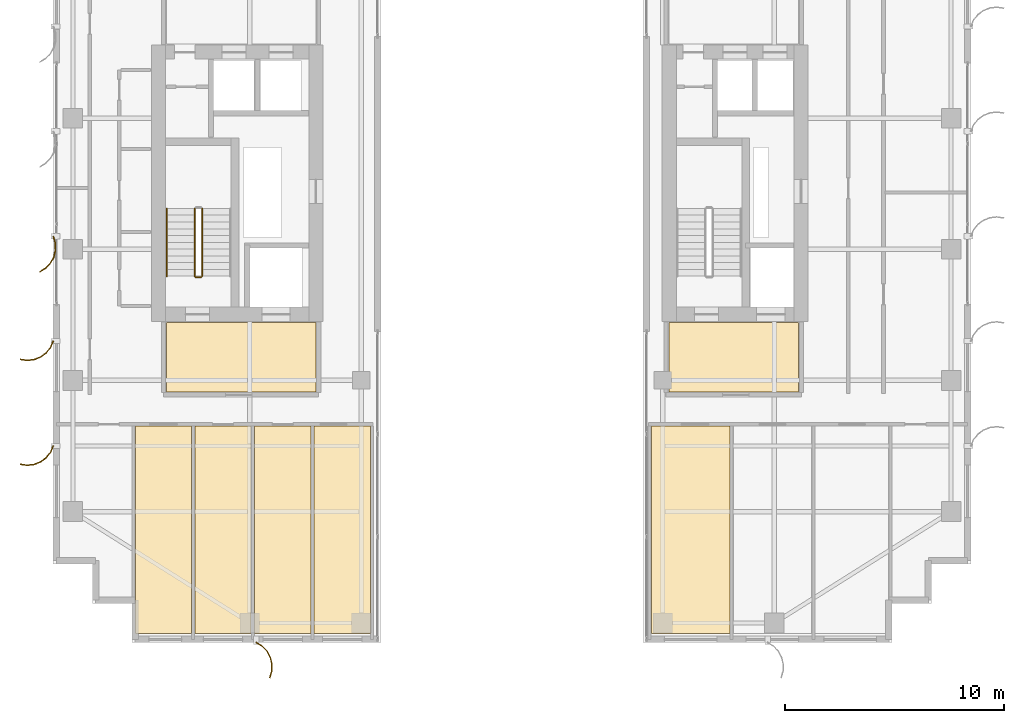
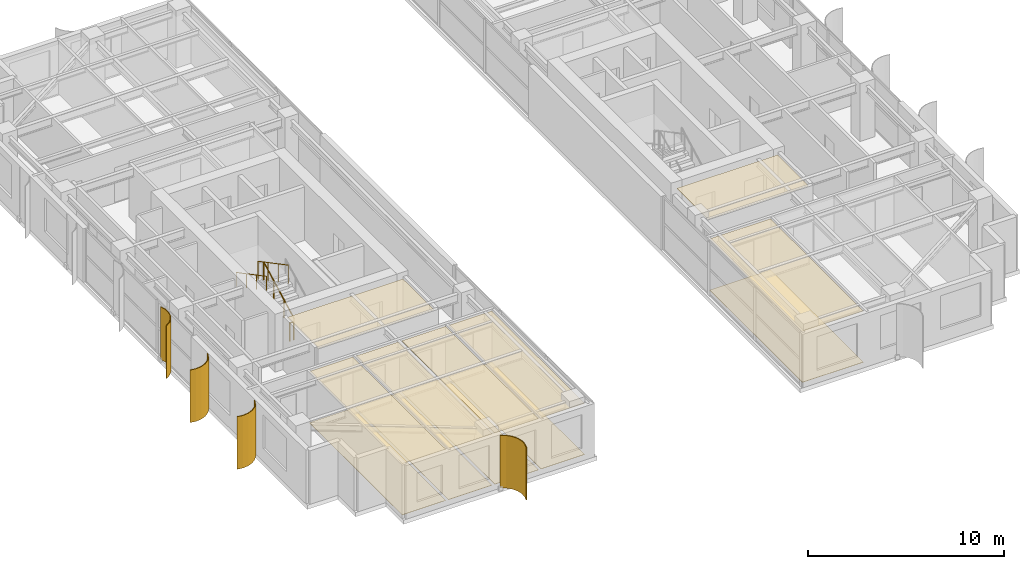
# One storey, part 20 of 22: 12 coverings, 4 railings, 4 shading devices.
"""IFC4 building model written with IfcOpenShell, lengths in metres."""

from ifc_helpers import new_model, si_unit, direction, frame, origin, origin_2d, place, context, subcontext, project, spatial, polyline, circle, outline, extrude, source, transform, mapped, material, layer, layer_set, type_object, element, save


model = new_model("IFC4")

# Units and contexts
model_context = context("Model", 3, precision=1e-05, world=origin(), true_north=direction((0.0, 1.0)))
body_context = subcontext(model_context, "Body", "Model", "MODEL_VIEW")
ifc_project = project(units=[si_unit("LENGTHUNIT", "METRE"), si_unit("AREAUNIT", "SQUARE_METRE"), si_unit("VOLUMEUNIT", "CUBIC_METRE"), si_unit("PLANEANGLEUNIT", "RADIAN"), si_unit("MASSUNIT", "GRAM", prefix="KILO")], contexts=[model_context])

# Site, building, storey
site_placement = place(None, origin())
site = spatial("IfcSite", under=ifc_project, at=site_placement, CompositionType="ELEMENT")
building_placement = place(site_placement, origin())
building = spatial("IfcBuilding", under=site, at=building_placement, Name="Khoralis Quay Care Tower", CompositionType="ELEMENT")
storey_placement = place(building_placement, frame((0.0, 0.0, 195.300048828125)))
storey = spatial("IfcBuildingStorey", under=building, at=storey_placement, Name="L51", CompositionType="ELEMENT", Elevation=195.300048828125)

# Coverings
ifc_material_1 = material(Name="Mineral-fibre acoustic ceiling tile")
ifc_layer_1 = layer(ifc_material_1, 0.01806640625)
ifc_layer_set_1 = layer_set([ifc_layer_1], Name="Mineral-fibre acoustic ceiling tile")
covering_type_1 = type_object("IfcCoveringType", Name="COV-CEIL-AC18", PredefinedType="CEILING", material=ifc_layer_set_1)
covering_1_placement = place(storey_placement, frame((0.0, 0.0, 3.19189453125)))
element("IfcCovering", 1, at=covering_1_placement, inside=storey, type_object=covering_type_1, Name="Suspended Acoustic Ceiling SP-L51-FFLOB-W", PredefinedType="CEILING", context=body_context, shape_type="SweptSolid", body=[
    extrude(outline(polyline([(8.179931640625, 11.47998046875), (15.02001953125, 11.47998046875), (15.02001953125, 14.64990234375), (8.179931640625, 14.64990234375), (8.179931640625, 11.47998046875)])), origin(), (0.0, 0.0, 1.0), 0.01806640625),
])
covering_2_placement = place(storey_placement, frame((0.0, 0.0, 3.19189453125)))
element("IfcCovering", 2, at=covering_2_placement, inside=storey, type_object=covering_type_1, Name="Suspended Acoustic Ceiling SP-L51-FFLOB-E", PredefinedType="CEILING", context=body_context, shape_type="SweptSolid", body=[
    extrude(outline(polyline([(31.179931640625, 11.47998046875), (37.1201171875, 11.47998046875), (37.1201171875, 14.64990234375), (31.179931640625, 14.64990234375), (31.179931640625, 11.47998046875)])), origin(), (0.0, 0.0, 1.0), 0.01806640625),
])
covering_3_placement = place(storey_placement, frame((0.0, 0.0, 3.19189453125)))
element("IfcCovering", 3, at=covering_3_placement, inside=storey, type_object=covering_type_1, Name="Suspended Acoustic Ceiling SP-L51-WS-COM0", PredefinedType="CEILING", context=body_context, shape_type="SweptSolid", body=[
    extrude(outline(polyline([(6.760009765625, 0.419921875), (9.330078125, 0.419921875), (9.330078125, 9.909912109375), (6.760009765625, 9.909912109375), (6.760009765625, 0.419921875)])), origin(), (0.0, 0.0, 1.0), 0.01806640625),
])
covering_4_placement = place(storey_placement, frame((0.0, 0.0, 3.19189453125)))
element("IfcCovering", 4, at=covering_4_placement, inside=storey, type_object=covering_type_1, Name="Suspended Acoustic Ceiling SP-L51-WS-COM1", PredefinedType="CEILING", context=body_context, shape_type="SweptSolid", body=[
    extrude(outline(polyline([(9.489990234375, 0.419921875), (12.06005859375, 0.419921875), (12.06005859375, 9.909912109375), (9.489990234375, 9.909912109375), (9.489990234375, 0.419921875)])), origin(), (0.0, 0.0, 1.0), 0.01806640625),
])
covering_5_placement = place(storey_placement, frame((0.0, 0.0, 3.19189453125)))
element("IfcCovering", 5, at=covering_5_placement, inside=storey, type_object=covering_type_1, Name="Suspended Acoustic Ceiling SP-L51-WS-COM2", PredefinedType="CEILING", context=body_context, shape_type="SweptSolid", body=[
    extrude(outline(polyline([(12.219970703125, 0.419921875), (14.7900390625, 0.419921875), (14.7900390625, 9.909912109375), (12.219970703125, 9.909912109375), (12.219970703125, 0.419921875)])), origin(), (0.0, 0.0, 1.0), 0.01806640625),
])
covering_6_placement = place(storey_placement, frame((0.0, 0.0, 3.19189453125)))
element("IfcCovering", 6, at=covering_6_placement, inside=storey, type_object=covering_type_1, Name="Suspended Acoustic Ceiling SP-L51-WS-COM3", PredefinedType="CEILING", context=body_context, shape_type="SweptSolid", body=[
    extrude(outline(polyline([(14.949951171875, 0.419921875), (17.52001953125, 0.419921875), (17.52001953125, 9.909912109375), (14.949951171875, 9.909912109375), (14.949951171875, 0.419921875)])), origin(), (0.0, 0.0, 1.0), 0.01806640625),
])
covering_7_placement = place(storey_placement, frame((0.0, 0.0, 3.19189453125)))
element("IfcCovering", 7, at=covering_7_placement, inside=storey, type_object=covering_type_1, Name="Suspended Acoustic Ceiling SP-L51-ES-COM0", PredefinedType="CEILING", context=body_context, shape_type="SweptSolid", body=[
    extrude(outline(polyline([(30.3798828125, 0.419921875), (33.969970703125, 0.419921875), (33.969970703125, 9.909912109375), (30.3798828125, 9.909912109375), (30.3798828125, 0.419921875)])), origin(), (0.0, 0.0, 1.0), 0.01806640625),
])
ifc_material_2 = material(Name="Porcelain and non-slip vinyl flooring")
ifc_layer_2 = layer(ifc_material_2, 0.02001953125)
ifc_layer_set_2 = layer_set([ifc_layer_2], Name="Porcelain and non-slip vinyl flooring")
covering_type_2 = type_object("IfcCoveringType", Name="COV-FLOOR-20", PredefinedType="FLOORING", material=ifc_layer_set_2)
covering_8_placement = place(storey_placement, origin())
element("IfcCovering", 8, at=covering_8_placement, inside=storey, type_object=covering_type_2, Name="Resilient Healthcare Flooring SP-L51-WS-COM0", PredefinedType="FLOORING", context=body_context, shape_type="SweptSolid", body=[
    extrude(outline(polyline([(6.760009765625, 0.419921875), (9.330078125, 0.419921875), (9.330078125, 9.909912109375), (6.760009765625, 9.909912109375), (6.760009765625, 0.419921875)])), origin(), (0.0, 0.0, 1.0), 0.02001953125),
])
covering_9_placement = place(storey_placement, origin())
element("IfcCovering", 9, at=covering_9_placement, inside=storey, type_object=covering_type_2, Name="Resilient Healthcare Flooring SP-L51-WS-COM1", PredefinedType="FLOORING", context=body_context, shape_type="SweptSolid", body=[
    extrude(outline(polyline([(9.489990234375, 0.419921875), (12.06005859375, 0.419921875), (12.06005859375, 9.909912109375), (9.489990234375, 9.909912109375), (9.489990234375, 0.419921875)])), origin(), (0.0, 0.0, 1.0), 0.02001953125),
])
covering_10_placement = place(storey_placement, origin())
element("IfcCovering", 10, at=covering_10_placement, inside=storey, type_object=covering_type_2, Name="Resilient Healthcare Flooring SP-L51-WS-COM2", PredefinedType="FLOORING", context=body_context, shape_type="SweptSolid", body=[
    extrude(outline(polyline([(12.219970703125, 0.419921875), (14.7900390625, 0.419921875), (14.7900390625, 9.909912109375), (12.219970703125, 9.909912109375), (12.219970703125, 0.419921875)])), origin(), (0.0, 0.0, 1.0), 0.02001953125),
])
covering_11_placement = place(storey_placement, origin())
element("IfcCovering", 11, at=covering_11_placement, inside=storey, type_object=covering_type_2, Name="Resilient Healthcare Flooring SP-L51-WS-COM3", PredefinedType="FLOORING", context=body_context, shape_type="SweptSolid", body=[
    extrude(outline(polyline([(14.949951171875, 0.419921875), (17.52001953125, 0.419921875), (17.52001953125, 9.909912109375), (14.949951171875, 9.909912109375), (14.949951171875, 0.419921875)])), origin(), (0.0, 0.0, 1.0), 0.02001953125),
])
covering_12_placement = place(storey_placement, origin())
element("IfcCovering", 12, at=covering_12_placement, inside=storey, type_object=covering_type_2, Name="Resilient Healthcare Flooring SP-L51-ES-COM0", PredefinedType="FLOORING", context=body_context, shape_type="SweptSolid", body=[
    extrude(outline(polyline([(30.3798828125, 0.419921875), (33.969970703125, 0.419921875), (33.969970703125, 9.909912109375), (30.3798828125, 9.909912109375), (30.3798828125, 0.419921875)])), origin(), (0.0, 0.0, 1.0), 0.02001953125),
])

# Railings
ifc_material_3 = material(Name="Brushed stainless steel", Category="steel")
railing_type_1 = type_object("IfcRailingType", Name="RL-GUARD-1150", PredefinedType="GUARDRAIL", material=ifc_material_3)
railing_1_placement = place(storey_placement, frame((9.820068359375, 16.77001953125, 0.16357421875)))
element("IfcRailing", 13, at=railing_1_placement, inside=storey, type_object=railing_type_1, Name="L51 ST-T1 stair guard 1", PredefinedType="GUARDRAIL", context=body_context, shape_type="SweptSolid", body=[
    extrude(circle(Radius=0.02392578125, at=origin_2d()), frame((0.0, 0.0, 1.1259765625), z_axis=(0.0, 0.884348015382, 0.466828220752), x_axis=(-1.0, 0.0, 0.0)), (0.0, 0.0, 1.0), 3.505615234375),
    extrude(circle(Radius=0.02099609375, at=origin_2d()), origin(), (0.0, 0.0, 1.0), 1.101806640625),
    extrude(circle(Radius=0.02099609375, at=origin_2d()), frame((0.0, 1.033447265625, 0.54541015625)), (0.0, 0.0, 1.0), 1.101806640625),
    extrude(circle(Radius=0.02099609375, at=origin_2d()), frame((0.0, 2.066650390625, 1.091064453125)), (0.0, 0.0, 1.0), 1.101806640625),
    extrude(circle(Radius=0.02099609375, at=origin_2d()), frame((0.0, 3.10009765625, 1.636474609375)), (0.0, 0.0, 1.0), 1.101806640625),
])
railing_2_placement = place(storey_placement, frame((9.47998046875, 19.8701171875, 1.963623046875)))
element("IfcRailing", 14, at=railing_2_placement, inside=storey, type_object=railing_type_1, Name="L51 ST-T1 stair guard 3", PredefinedType="GUARDRAIL", context=body_context, shape_type="SweptSolid", body=[
    extrude(circle(Radius=0.02392578125, at=origin_2d()), frame((0.0, 0.0, 1.1259765625), z_axis=(0.0, -0.884376766648, 0.46677375099), x_axis=(1.0, 0.0, 0.0)), (0.0, 0.0, 1.0), 3.50537109375),
    extrude(circle(Radius=0.02099609375, at=origin_2d()), origin(), (0.0, 0.0, 1.0), 1.101806640625),
    extrude(circle(Radius=0.02099609375, at=origin_2d()), frame((0.0, -1.033447265625, 0.54541015625)), (0.0, 0.0, 1.0), 1.101806640625),
    extrude(circle(Radius=0.02099609375, at=origin_2d()), frame((0.0, -2.066650390625, 1.0908203125)), (0.0, 0.0, 1.0), 1.101806640625),
    extrude(circle(Radius=0.02099609375, at=origin_2d()), frame((0.0, -3.10009765625, 1.63623046875)), (0.0, 0.0, 1.0), 1.101806640625),
])
railing_3_placement = place(storey_placement, frame((9.77001953125, 16.719970703125, 0.0)))
element("IfcRailing", 15, at=railing_3_placement, inside=storey, type_object=railing_type_1, Name="L51 ST-T1 stair guard 4", PredefinedType="GUARDRAIL", context=body_context, shape_type="SweptSolid", body=[
    extrude(circle(Radius=0.02392578125, at=origin_2d()), frame((0.0, 0.0, 1.1259765625), z_axis=(-1.0, 0.0, 0.0), x_axis=(0.0, -1.0, 0.0)), (0.0, 0.0, 1.0), 0.239990234375),
    extrude(circle(Radius=0.02099609375, at=origin_2d()), origin(), (0.0, 0.0, 1.0), 1.101806640625),
    extrude(circle(Radius=0.02099609375, at=origin_2d()), frame((-0.239990234375, 0.0, 0.0)), (0.0, 0.0, 1.0), 1.101806640625),
])
railing_type_2 = type_object("IfcRailingType", Name="RL-HAND-900", PredefinedType="HANDRAIL", material=ifc_material_3)
railing_4_placement = place(storey_placement, frame((8.199951171875, 19.8701171875, 1.963623046875)))
element("IfcRailing", 16, at=railing_4_placement, inside=storey, type_object=railing_type_2, Name="L51 ST-T1 stair handrail 2", PredefinedType="HANDRAIL", context=body_context, shape_type="SweptSolid", body=[
    extrude(circle(Radius=0.02392578125, at=origin_2d()), frame((0.0, 0.0, 0.8759765625), z_axis=(0.0, -0.884376766648, 0.46677375099), x_axis=(1.0, 0.0, 0.0)), (0.0, 0.0, 1.0), 3.50537109375),
    extrude(circle(Radius=0.02099609375, at=origin_2d()), origin(), (0.0, 0.0, 1.0), 0.851806640625),
    extrude(circle(Radius=0.02099609375, at=origin_2d()), frame((0.0, -1.033447265625, 0.54541015625)), (0.0, 0.0, 1.0), 0.851806640625),
    extrude(circle(Radius=0.02099609375, at=origin_2d()), frame((0.0, -2.066650390625, 1.0908203125)), (0.0, 0.0, 1.0), 0.851806640625),
    extrude(circle(Radius=0.02099609375, at=origin_2d()), frame((0.0, -3.10009765625, 1.63623046875)), (0.0, 0.0, 1.0), 0.851806640625),
])

# Shading devices
ifc_material_4 = material(Name="Brushed pale anodised aluminium", Category="aluminium")
ifc_layer_3 = layer(ifc_material_4, 0.044921875)
ifc_layer_set_3 = layer_set([ifc_layer_3], Name="Brushed pale anodised aluminium")
shading_device_type = type_object("IfcShadingDeviceType", Name="SHD-FIN-1250", PredefinedType="USERDEFINED", material=ifc_layer_set_3)
shared_shape_1 = source(origin(), body_context, "Body", "SweptSolid", [
    extrude(outline(polyline([(0.0, 0.0), (0.17041015625, 0.2783203125), (0.4072265625, 0.5029296875), (0.694091796875, 0.658447265625), (1.01123046875, 0.734619140625), (1.33740234375, 0.72607421875), (1.650390625, 0.633544921875), (1.632080078125, 0.59228515625), (1.330322265625, 0.681640625), (1.015869140625, 0.68994140625), (0.710205078125, 0.616455078125), (0.43359375, 0.466552734375), (0.20556640625, 0.25), (0.041015625, -0.018310546875), (0.0, 0.0)])), origin(), (0.0, 0.0, 1.0), 3.280029296875),
])
shading_device_1_placement = place(storey_placement, frame((12.300048828125, 0.030029296875, 0.02001953125), z_axis=(0.0, 0.0, 1.0), x_axis=(0.0, -1.0, 0.0)))
element("IfcShadingDevice", 17, at=shading_device_1_placement, inside=storey, type_object=shading_device_type, Name="L51 Curved Solar Fin P1E0-01", ObjectType="FIN", PredefinedType="USERDEFINED", context=body_context, shape_type="MappedRepresentation", body=[
    mapped(shared_shape_1, transform((0.0, 0.0, 0.0), scale=1.0)),
])
shared_shape_2 = source(origin(), body_context, "Body", "SweptSolid", [
    extrude(outline(polyline([(0.0, 0.0), (-0.0927734375, 0.31298828125), (-0.101318359375, 0.63916015625), (-0.025146484375, 0.956298828125), (0.130615234375, 1.2431640625), (0.355224609375, 1.479736328125), (0.633544921875, 1.650390625), (0.65185546875, 1.609130859375), (0.383544921875, 1.44482421875), (0.1669921875, 1.216796875), (0.01708984375, 0.940185546875), (-0.056396484375, 0.63427734375), (-0.04833984375, 0.31982421875), (0.041015625, 0.018310546875), (0.0, 0.0)])), origin(), (0.0, 0.0, 1.0), 3.280029296875),
])
shading_device_2_placement = place(storey_placement, frame((3.030029296875, 18.60009765625, 0.02001953125), z_axis=(0.0, 0.0, 1.0), x_axis=(-1.0, 0.0, 0.0)))
element("IfcShadingDevice", 18, at=shading_device_2_placement, inside=storey, type_object=shading_device_type, Name="L51 Curved Solar Fin P1E7-04", ObjectType="FIN", PredefinedType="USERDEFINED", context=body_context, shape_type="MappedRepresentation", body=[
    mapped(shared_shape_2, transform((0.0, 0.0, 0.0), scale=1.0)),
])
shared_shape_3 = source(origin(), body_context, "Body", "SweptSolid", [
    extrude(outline(polyline([(0.0, 0.0), (0.130126953125, 0.29931640625), (0.333251953125, 0.5546875), (0.595458984375, 0.748779296875), (0.899169921875, 0.868408203125), (1.223388671875, 0.9052734375), (1.546142578125, 0.85693359375), (1.53369140625, 0.813720703125), (1.22265625, 0.8603515625), (0.91015625, 0.82470703125), (0.617431640625, 0.70947265625), (0.364501953125, 0.522216796875), (0.168701171875, 0.276123046875), (0.043212890625, -0.012451171875), (0.0, 0.0)])), origin(), (0.0, 0.0, 1.0), 3.280029296875),
])
for number, where, z_axis, x_axis, name in (
    (19, (3.030029296875, 13.800048828125, 0.02001953125), (0.0, 0.0, 1.0), (-1.0, 0.0, 0.0), "L51 Curved Solar Fin P1E7-05"),
    (20, (3.030029296875, 9.0, 0.02001953125), (0.0, 0.0, 1.0), (-1.0, 0.0, 0.0), "L51 Curved Solar Fin P1E7-06"),
):
    element("IfcShadingDevice", number, at=place(storey_placement, frame(where, z_axis=z_axis, x_axis=x_axis)), inside=storey, type_object=shading_device_type, Name=name, ObjectType="FIN", PredefinedType="USERDEFINED", context=body_context, shape_type="MappedRepresentation", body=[
        mapped(shared_shape_3, transform((0.0, 0.0, 0.0), scale=1.0)),
    ])

save(model, "model.ifc")
